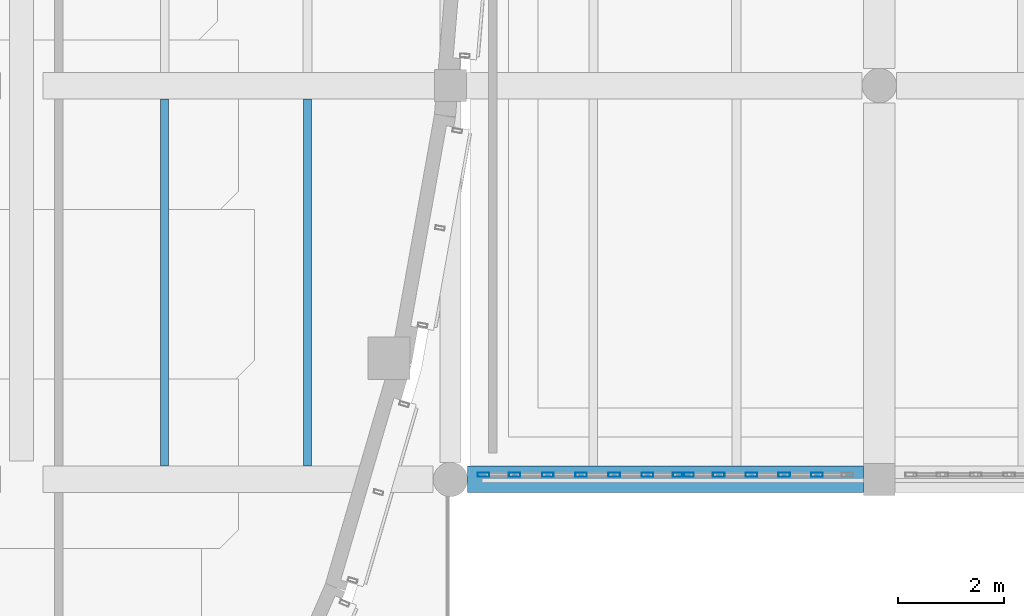
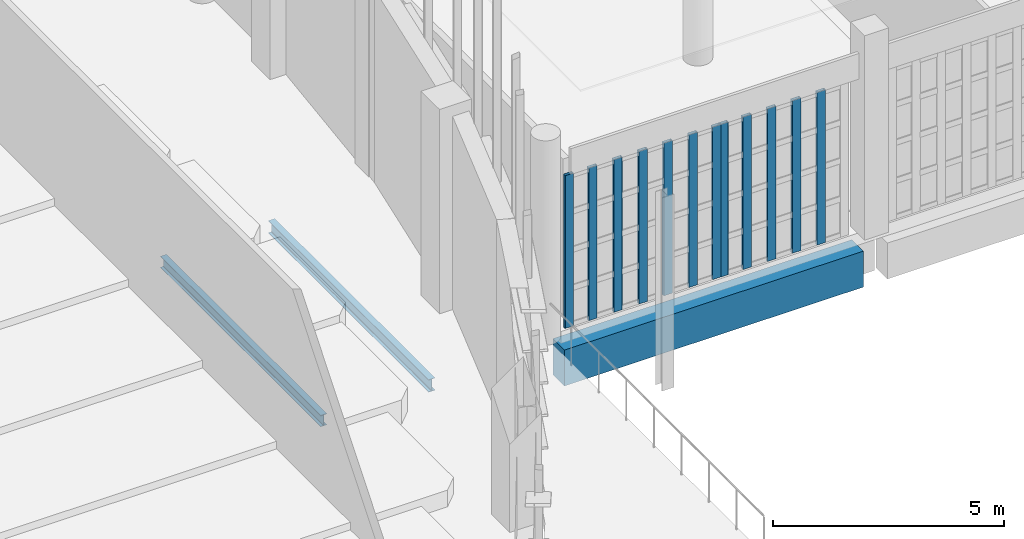
# One storey, part 110 of 372: 12 members, 3 beams, 2 elements without a shape of their own.
"""IFC4 building model written with IfcOpenShell, lengths in metres."""

from ifc_helpers import new_model, si_unit, direction, frame, origin, origin_2d, place, context, subcontext, project, spatial, rectangle, hollow_rectangle, i_section, extrude, material, material_profile, profile_set, type_object, element, aggregate, save


model = new_model("IFC4")

# Units and contexts
model_context = context("Model", 3, precision=1e-05, world=origin(), true_north=direction((0.0, 1.0)))
body_context = subcontext(model_context, "Body", "Model", "MODEL_VIEW")
ifc_project = project(units=[si_unit("LENGTHUNIT", "METRE"), si_unit("AREAUNIT", "SQUARE_METRE"), si_unit("VOLUMEUNIT", "CUBIC_METRE"), si_unit("PLANEANGLEUNIT", "RADIAN"), si_unit("MASSUNIT", "GRAM", prefix="KILO")], contexts=[model_context])

# Site, building, storey
site_placement = place(None, origin())
site = spatial("IfcSite", under=ifc_project, at=site_placement, CompositionType="ELEMENT")
building_placement = place(site_placement, origin())
building = spatial("IfcBuilding", under=site, at=building_placement, Name="Kaelora Sail Theatre", CompositionType="ELEMENT")
storey_placement = place(building_placement, origin())
storey = spatial("IfcBuildingStorey", under=building, at=storey_placement, Name="L00", CompositionType="ELEMENT", Elevation=0.0)

# Curtain wall, members
ifc_material_1 = material(Name="Anodised aluminium and solar-control low-E IGU", Category="aluminium")
curtain_wall_type = type_object("IfcCurtainWallType", Name="ARC-CW-CW-FOY1", PredefinedType="NOTDEFINED", material=ifc_material_1)
curtain_wall_1_placement = place(storey_placement, origin())
curtain_wall_1 = element("IfcCurtainWall", 1, at=curtain_wall_1_placement, inside=storey, type_object=curtain_wall_type, Name="West Interstitial Sail Foyer Curtain Wall L00-01", PredefinedType="NOTDEFINED")
ifc_material_2 = material(Name="Anodised aluminium 6063-T6", Category="aluminium")
ifc_material_profile_1 = material_profile(ifc_material_2, hollow_rectangle(XDim=0.080078125, YDim=0.219970703125, WallThickness=0.0048828125, InnerFilletRadius=0.0048828125, OuterFilletRadius=0.010009765625, at=origin_2d()), Name="ALU-MULL 80x220x5")
ifc_profile_set_1 = profile_set([ifc_material_profile_1], Name="Anodised aluminium 6063-T6")
member_type = type_object("IfcMemberType", Name="ARC-MEM-ML-220", PredefinedType="MULLION", material=ifc_profile_set_1)
member_1_placement = place(storey_placement, frame((58.824951171875, 38.7900390625, 0.0), z_axis=(0.0, 0.0, 1.0), x_axis=(0.0, 1.0, 0.0)))
member_1 = element("IfcMember", 2, at=member_1_placement, type_object=member_type, Name="CW-FOY1 mullion 1", PredefinedType="MULLION", context=body_context, shape_type="SweptSolid", body=[
    extrude(hollow_rectangle(XDim=0.080078125, YDim=0.219970703125, WallThickness=0.0048828125, InnerFilletRadius=0.0048828125, OuterFilletRadius=0.010009765625, at=origin_2d()), origin(), (0.0, 0.0, 1.0), 4.037109375),
])
member_2_placement = place(storey_placement, frame((59.41259765625, 38.7900390625, 0.0), z_axis=(0.0, 0.0, 1.0), x_axis=(0.0, 1.0, 0.0)))
member_2 = element("IfcMember", 3, at=member_2_placement, type_object=member_type, Name="CW-FOY1 mullion 2", PredefinedType="MULLION", context=body_context, shape_type="SweptSolid", body=[
    extrude(hollow_rectangle(XDim=0.080078125, YDim=0.219970703125, WallThickness=0.0048828125, InnerFilletRadius=0.0048828125, OuterFilletRadius=0.010009765625, at=origin_2d()), origin(), (0.0, 0.0, 1.0), 4.037109375),
])
member_3_placement = place(storey_placement, frame((60.0400390625, 38.7900390625, 0.0), z_axis=(0.0, 0.0, 1.0), x_axis=(0.0, 1.0, 0.0)))
member_3 = element("IfcMember", 4, at=member_3_placement, type_object=member_type, Name="CW-FOY1 mullion 3", PredefinedType="MULLION", context=body_context, shape_type="SweptSolid", body=[
    extrude(hollow_rectangle(XDim=0.080078125, YDim=0.219970703125, WallThickness=0.0048828125, InnerFilletRadius=0.0048828125, OuterFilletRadius=0.010009765625, at=origin_2d()), origin(), (0.0, 0.0, 1.0), 4.037109375),
])
member_4_placement = place(storey_placement, frame((60.66748046875, 38.7900390625, 0.0), z_axis=(0.0, 0.0, 1.0), x_axis=(0.0, 1.0, 0.0)))
member_4 = element("IfcMember", 5, at=member_4_placement, type_object=member_type, Name="CW-FOY1 mullion 4", PredefinedType="MULLION", context=body_context, shape_type="SweptSolid", body=[
    extrude(hollow_rectangle(XDim=0.080078125, YDim=0.219970703125, WallThickness=0.0048828125, InnerFilletRadius=0.0048828125, OuterFilletRadius=0.010009765625, at=origin_2d()), origin(), (0.0, 0.0, 1.0), 4.037109375),
])
member_5_placement = place(storey_placement, frame((61.294921875, 38.7900390625, 0.0), z_axis=(0.0, 0.0, 1.0), x_axis=(0.0, 1.0, 0.0)))
member_5 = element("IfcMember", 6, at=member_5_placement, type_object=member_type, Name="CW-FOY1 mullion 5", PredefinedType="MULLION", context=body_context, shape_type="SweptSolid", body=[
    extrude(hollow_rectangle(XDim=0.080078125, YDim=0.219970703125, WallThickness=0.0048828125, InnerFilletRadius=0.0048828125, OuterFilletRadius=0.010009765625, at=origin_2d()), origin(), (0.0, 0.0, 1.0), 4.037109375),
])
member_6_placement = place(storey_placement, frame((61.922607421875, 38.7900390625, 0.0), z_axis=(0.0, 0.0, 1.0), x_axis=(0.0, 1.0, 0.0)))
member_6 = element("IfcMember", 7, at=member_6_placement, type_object=member_type, Name="CW-FOY1 mullion 6", PredefinedType="MULLION", context=body_context, shape_type="SweptSolid", body=[
    extrude(hollow_rectangle(XDim=0.080078125, YDim=0.219970703125, WallThickness=0.0048828125, InnerFilletRadius=0.0048828125, OuterFilletRadius=0.010009765625, at=origin_2d()), origin(), (0.0, 0.0, 1.0), 4.037109375),
])
member_7_placement = place(storey_placement, frame((62.510009765625, 38.7900390625, 0.0), z_axis=(0.0, 0.0, 1.0), x_axis=(0.0, 1.0, 0.0)))
member_7 = element("IfcMember", 8, at=member_7_placement, type_object=member_type, Name="CW-FOY1 mullion 7", PredefinedType="MULLION", context=body_context, shape_type="SweptSolid", body=[
    extrude(hollow_rectangle(XDim=0.080078125, YDim=0.219970703125, WallThickness=0.0048828125, InnerFilletRadius=0.0048828125, OuterFilletRadius=0.010009765625, at=origin_2d()), origin(), (0.0, 0.0, 1.0), 4.037109375),
])
aggregate(curtain_wall_1, [member_1, member_2, member_3, member_4, member_5, member_6, member_7])

curtain_wall_2_placement = place(storey_placement, origin())
curtain_wall_2 = element("IfcCurtainWall", 9, at=curtain_wall_2_placement, inside=storey, type_object=curtain_wall_type, Name="West Interstitial Sail Foyer Curtain Wall L00-02", PredefinedType="NOTDEFINED")
member_8_placement = place(storey_placement, frame((62.68994140625, 38.7900390625, 0.0), z_axis=(0.0, 0.0, 1.0), x_axis=(0.0, 1.0, 0.0)))
member_8 = element("IfcMember", 10, at=member_8_placement, type_object=member_type, Name="CW-FOY1 mullion 1", PredefinedType="MULLION", context=body_context, shape_type="SweptSolid", body=[
    extrude(hollow_rectangle(XDim=0.080078125, YDim=0.219970703125, WallThickness=0.0048828125, InnerFilletRadius=0.0048828125, OuterFilletRadius=0.010009765625, at=origin_2d()), origin(), (0.0, 0.0, 1.0), 4.037109375),
])
member_9_placement = place(storey_placement, frame((63.26806640625, 38.7900390625, 0.0), z_axis=(0.0, 0.0, 1.0), x_axis=(0.0, 1.0, 0.0)))
member_9 = element("IfcMember", 11, at=member_9_placement, type_object=member_type, Name="CW-FOY1 mullion 2", PredefinedType="MULLION", context=body_context, shape_type="SweptSolid", body=[
    extrude(hollow_rectangle(XDim=0.080078125, YDim=0.219970703125, WallThickness=0.0048828125, InnerFilletRadius=0.0048828125, OuterFilletRadius=0.010009765625, at=origin_2d()), origin(), (0.0, 0.0, 1.0), 4.037109375),
])
member_10_placement = place(storey_placement, frame((63.885986328125, 38.7900390625, 0.0), z_axis=(0.0, 0.0, 1.0), x_axis=(0.0, 1.0, 0.0)))
member_10 = element("IfcMember", 12, at=member_10_placement, type_object=member_type, Name="CW-FOY1 mullion 3", PredefinedType="MULLION", context=body_context, shape_type="SweptSolid", body=[
    extrude(hollow_rectangle(XDim=0.080078125, YDim=0.219970703125, WallThickness=0.0048828125, InnerFilletRadius=0.0048828125, OuterFilletRadius=0.010009765625, at=origin_2d()), origin(), (0.0, 0.0, 1.0), 4.037109375),
])
member_11_placement = place(storey_placement, frame((64.50390625, 38.7900390625, 0.0), z_axis=(0.0, 0.0, 1.0), x_axis=(0.0, 1.0, 0.0)))
member_11 = element("IfcMember", 13, at=member_11_placement, type_object=member_type, Name="CW-FOY1 mullion 4", PredefinedType="MULLION", context=body_context, shape_type="SweptSolid", body=[
    extrude(hollow_rectangle(XDim=0.080078125, YDim=0.219970703125, WallThickness=0.0048828125, InnerFilletRadius=0.0048828125, OuterFilletRadius=0.010009765625, at=origin_2d()), origin(), (0.0, 0.0, 1.0), 4.037109375),
])
member_12_placement = place(storey_placement, frame((65.1220703125, 38.7900390625, 0.0), z_axis=(0.0, 0.0, 1.0), x_axis=(0.0, 1.0, 0.0)))
member_12 = element("IfcMember", 14, at=member_12_placement, type_object=member_type, Name="CW-FOY1 mullion 5", PredefinedType="MULLION", context=body_context, shape_type="SweptSolid", body=[
    extrude(hollow_rectangle(XDim=0.080078125, YDim=0.219970703125, WallThickness=0.0048828125, InnerFilletRadius=0.0048828125, OuterFilletRadius=0.010009765625, at=origin_2d()), origin(), (0.0, 0.0, 1.0), 4.037109375),
])
aggregate(curtain_wall_2, [member_8, member_9, member_10, member_11, member_12])

# Beams
ifc_material_3 = material(Name="Concrete C45/55", Category="concrete")
ifc_material_profile_2 = material_profile(ifc_material_3, rectangle(XDim=0.5, YDim=0.949951171875, at=origin_2d()), Name="RC-GRD 500x950")
ifc_profile_set_2 = profile_set([ifc_material_profile_2], Name="Concrete C45/55")
beam_type_1 = type_object("IfcBeamType", Name="STR-BM-GR-RC5095", PredefinedType="T_BEAM", material=ifc_profile_set_2)
beam_1_placement = place(storey_placement, frame((58.52490234375, 38.699951171875, -0.794921875), z_axis=(1.0, 0.0, 0.0), x_axis=(0.0, 1.0, 0.0)))
element("IfcBeam", 15, at=beam_1_placement, inside=storey, type_object=beam_type_1, Name="Primary beam F 8-9 (L00)", PredefinedType="T_BEAM", context=body_context, shape_type="SweptSolid", body=[
    extrude(rectangle(XDim=0.5, YDim=0.949951171875, at=origin_2d()), origin(), (0.0, 0.0, 1.0), 7.47509765625),
])
ifc_material_4 = material(Name="Steel S355", Category="steel")
ifc_material_profile_3 = material_profile(ifc_material_4, i_section(OverallWidth=0.14990234375, OverallDepth=0.300048828125, WebThickness=0.007080078125, FlangeThickness=0.0107421875, FilletRadius=0.014892578125, at=origin_2d()), Name="IPE 300")
ifc_profile_set_3 = profile_set([ifc_material_profile_3], Name="Steel S355")
beam_type_2 = type_object("IfcBeamType", Name="STR-BM-JS-IPE300", PredefinedType="JOIST", material=ifc_profile_set_3)
beam_2_placement = place(storey_placement, frame((52.800048828125, 38.949951171875, -0.469970703125), z_axis=(0.0, 1.0, 0.0), x_axis=(-1.0, 0.0, 0.0)))
element("IfcBeam", 16, at=beam_2_placement, inside=storey, type_object=beam_type_2, Name="Secondary floor joist 7/F-1 (L00)", PredefinedType="JOIST", context=body_context, shape_type="SweptSolid", body=[
    extrude(i_section(OverallWidth=0.14990234375, OverallDepth=0.300048828125, WebThickness=0.007080078125, FlangeThickness=0.0107421875, FilletRadius=0.014892578125, at=origin_2d()), origin(), (0.0, 0.0, 1.0), 6.93994140625),
])
ifc_material_5 = material(Name="Steel S355", Category="steel")
ifc_material_profile_4 = material_profile(ifc_material_5, i_section(OverallWidth=0.159912109375, OverallDepth=0.330078125, WebThickness=0.007568359375, FlangeThickness=0.011474609375, FilletRadius=0.01806640625, at=origin_2d()), Name="IPE 330")
ifc_profile_set_4 = profile_set([ifc_material_profile_4], Name="Steel S355")
beam_type_3 = type_object("IfcBeamType", Name="STR-BM-JS-IPE330", PredefinedType="JOIST", material=ifc_profile_set_4)
beam_3_placement = place(storey_placement, frame((55.5, 38.949951171875, -0.485107421875), z_axis=(0.0, 1.0, 0.0), x_axis=(-1.0, 0.0, 0.0)))
element("IfcBeam", 17, at=beam_3_placement, inside=storey, type_object=beam_type_3, Name="Secondary floor joist 7/F-2 (L00)", PredefinedType="JOIST", context=body_context, shape_type="SweptSolid", body=[
    extrude(i_section(OverallWidth=0.159912109375, OverallDepth=0.330078125, WebThickness=0.007568359375, FlangeThickness=0.011474609375, FilletRadius=0.01806640625, at=origin_2d()), origin(), (0.0, 0.0, 1.0), 6.93994140625),
])

save(model, "model.ifc")
